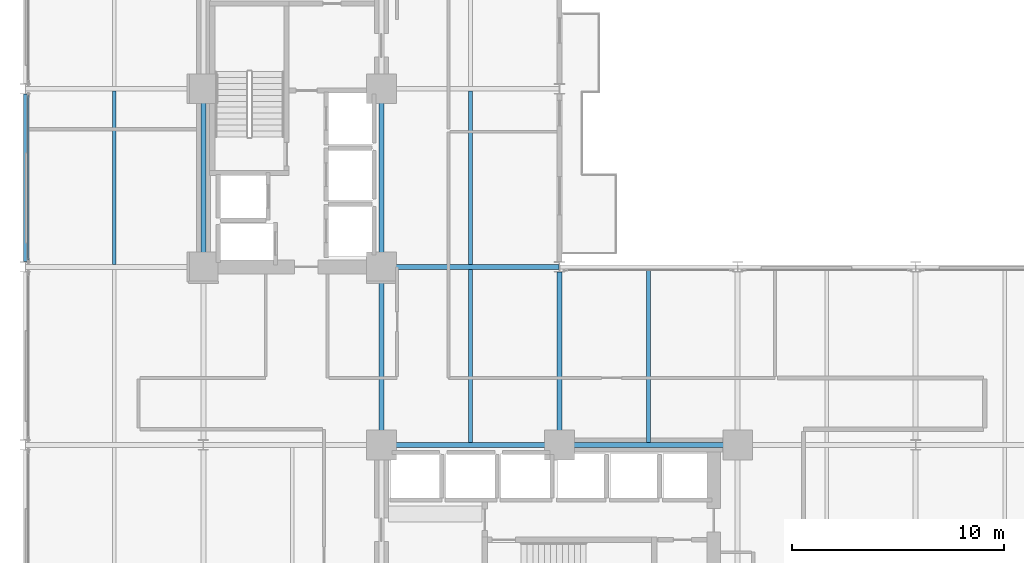
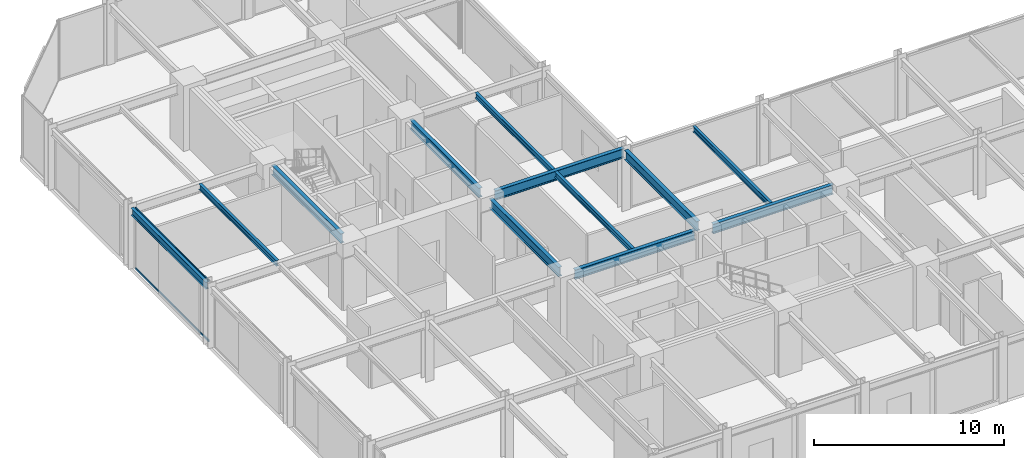
# One storey, part 7 of 24: 12 beams, 2 members, 1 element without a shape of its own.
"""IFC4 building model written with IfcOpenShell, lengths in metres."""

from ifc_helpers import new_model, si_unit, direction, frame, origin, origin_2d, place, context, subcontext, project, spatial, hollow_rectangle, i_section, extrude, material, layer, layer_set, material_profile, profile_set, type_object, element, aggregate, save


model = new_model("IFC4")

# Units and contexts
model_context = context("Model", 3, precision=1e-05, world=origin(), true_north=direction((0.0, 1.0)))
body_context = subcontext(model_context, "Body", "Model", "MODEL_VIEW")
ifc_project = project(units=[si_unit("LENGTHUNIT", "METRE"), si_unit("AREAUNIT", "SQUARE_METRE"), si_unit("VOLUMEUNIT", "CUBIC_METRE"), si_unit("PLANEANGLEUNIT", "RADIAN"), si_unit("MASSUNIT", "GRAM", prefix="KILO")], contexts=[model_context])

# Site, building, storey
site_placement = place(None, origin())
site = spatial("IfcSite", under=ifc_project, at=site_placement, CompositionType="ELEMENT")
building_placement = place(site_placement, origin())
building = spatial("IfcBuilding", under=site, at=building_placement, Name="Nerrivon Quay Data Exchange", CompositionType="ELEMENT")
storey_placement = place(building_placement, frame((0.0, 0.0, 33.199951171875)))
storey = spatial("IfcBuildingStorey", under=building, at=storey_placement, Name="L07", CompositionType="ELEMENT", Elevation=33.199951171875)

# Beams
ifc_material_1 = material(Name="Steel Grade 350", Category="steel")
ifc_material_profile_1 = material_profile(ifc_material_1, i_section(OverallWidth=0.22900390625, OverallDepth=0.612060546875, WebThickness=0.011962890625, FlangeThickness=0.01953125, FilletRadius=0.013916015625, at=origin_2d()), Name="610UB125")
ifc_profile_set_1 = profile_set([ifc_material_profile_1], Name="Steel Grade 350")
beam_type_1 = type_object("IfcBeamType", Name="BM-G1-610UB125", PredefinedType="BEAM", material=ifc_profile_set_1)
beam_1_placement = place(storey_placement, frame((17.340087890625, 16.800048828125, 3.619140625), z_axis=(1.0, 0.0, 0.0), x_axis=(0.0, 1.0, 0.0)))
element("IfcBeam", 1, at=beam_1_placement, inside=storey, type_object=beam_type_1, Name="L07 EW Girder Y=16.8 (16.8..25.2)", PredefinedType="BEAM", context=body_context, shape_type="SweptSolid", body=[
    extrude(i_section(OverallWidth=0.22900390625, OverallDepth=0.612060546875, WebThickness=0.011962890625, FlangeThickness=0.01953125, FilletRadius=0.013916015625, at=origin_2d()), origin(), (0.0, 0.0, 1.0), 7.31982421875),
])
beam_2_placement = place(storey_placement, frame((25.739990234375, 16.800048828125, 3.619140625), z_axis=(1.0, 0.0, 0.0), x_axis=(0.0, 1.0, 0.0)))
element("IfcBeam", 2, at=beam_2_placement, inside=storey, type_object=beam_type_1, Name="L07 EW Girder Y=16.8 (25.2..33.6)", PredefinedType="BEAM", context=body_context, shape_type="SweptSolid", body=[
    extrude(i_section(OverallWidth=0.22900390625, OverallDepth=0.612060546875, WebThickness=0.011962890625, FlangeThickness=0.01953125, FilletRadius=0.013916015625, at=origin_2d()), origin(), (0.0, 0.0, 1.0), 7.320068359375),
])
beam_3_placement = place(storey_placement, frame((17.340087890625, 25.199951171875, 3.619140625), z_axis=(1.0, 0.0, 0.0), x_axis=(0.0, 1.0, 0.0)))
element("IfcBeam", 3, at=beam_3_placement, inside=storey, type_object=beam_type_1, Name="L07 EW Girder Y=25.2 (16.8..25.2)", PredefinedType="BEAM", context=body_context, shape_type="SweptSolid", body=[
    extrude(i_section(OverallWidth=0.22900390625, OverallDepth=0.612060546875, WebThickness=0.011962890625, FlangeThickness=0.01953125, FilletRadius=0.013916015625, at=origin_2d()), origin(), (0.0, 0.0, 1.0), 7.845947265625),
])
ifc_material_profile_2 = material_profile(ifc_material_1, i_section(OverallWidth=0.22802734375, OverallDepth=0.60205078125, WebThickness=0.010498046875, FlangeThickness=0.014892578125, FilletRadius=0.013916015625, at=origin_2d()), Name="610UB101")
ifc_profile_set_2 = profile_set([ifc_material_profile_2], Name="Steel Grade 350")
beam_type_2 = type_object("IfcBeamType", Name="BM-G2-610UB101", PredefinedType="BEAM", material=ifc_profile_set_2)
beam_4_placement = place(storey_placement, frame((8.39990234375, 25.739990234375, 3.6240234375), z_axis=(0.0, 1.0, 0.0), x_axis=(-1.0, 0.0, 0.0)))
element("IfcBeam", 4, at=beam_4_placement, inside=storey, type_object=beam_type_2, Name="L07 NS Girder X=8.4 (25.2..33.6)", PredefinedType="BEAM", context=body_context, shape_type="SweptSolid", body=[
    extrude(i_section(OverallWidth=0.22802734375, OverallDepth=0.60205078125, WebThickness=0.010498046875, FlangeThickness=0.014892578125, FilletRadius=0.013916015625, at=origin_2d()), origin(), (0.0, 0.0, 1.0), 7.320068359375),
])
beam_5_placement = place(storey_placement, frame((16.800048828125, 17.340087890625, 3.6240234375), z_axis=(0.0, 1.0, 0.0), x_axis=(-1.0, 0.0, 0.0)))
element("IfcBeam", 5, at=beam_5_placement, inside=storey, type_object=beam_type_2, Name="L07 NS Girder X=16.8 (16.8..25.2)", PredefinedType="BEAM", context=body_context, shape_type="SweptSolid", body=[
    extrude(i_section(OverallWidth=0.22802734375, OverallDepth=0.60205078125, WebThickness=0.010498046875, FlangeThickness=0.014892578125, FilletRadius=0.013916015625, at=origin_2d()), origin(), (0.0, 0.0, 1.0), 7.31982421875),
])
beam_6_placement = place(storey_placement, frame((16.800048828125, 25.739990234375, 3.6240234375), z_axis=(0.0, 1.0, 0.0), x_axis=(-1.0, 0.0, 0.0)))
element("IfcBeam", 6, at=beam_6_placement, inside=storey, type_object=beam_type_2, Name="L07 NS Girder X=16.8 (25.2..33.6)", PredefinedType="BEAM", context=body_context, shape_type="SweptSolid", body=[
    extrude(i_section(OverallWidth=0.22802734375, OverallDepth=0.60205078125, WebThickness=0.010498046875, FlangeThickness=0.014892578125, FilletRadius=0.013916015625, at=origin_2d()), origin(), (0.0, 0.0, 1.0), 7.320068359375),
])
beam_7_placement = place(storey_placement, frame((25.199951171875, 17.340087890625, 3.6240234375), z_axis=(0.0, 1.0, 0.0), x_axis=(-1.0, 0.0, 0.0)))
element("IfcBeam", 7, at=beam_7_placement, inside=storey, type_object=beam_type_2, Name="L07 NS Girder X=25.2 (16.8..25.2)", PredefinedType="BEAM", context=body_context, shape_type="SweptSolid", body=[
    extrude(i_section(OverallWidth=0.22802734375, OverallDepth=0.60205078125, WebThickness=0.010498046875, FlangeThickness=0.014892578125, FilletRadius=0.013916015625, at=origin_2d()), origin(), (0.0, 0.0, 1.0), 7.60986328125),
])
ifc_material_profile_3 = material_profile(ifc_material_1, i_section(OverallWidth=0.172119140625, OverallDepth=0.35888671875, WebThickness=0.008056640625, FlangeThickness=0.012939453125, FilletRadius=0.011474609375, at=origin_2d()), Name="360UB56.7")
ifc_profile_set_3 = profile_set([ifc_material_profile_3], Name="Steel Grade 350")
beam_type_3 = type_object("IfcBeamType", Name="BM-J3-360UB57", PredefinedType="JOIST", material=ifc_profile_set_3)
beam_8_placement = place(storey_placement, frame((4.199951171875, 25.314453125, 3.74560546875), z_axis=(0.0, 1.0, 0.0), x_axis=(-1.0, 0.0, 0.0)))
element("IfcBeam", 8, at=beam_8_placement, inside=storey, type_object=beam_type_3, Name="L07 Secondary Joist X=4.2 (25.2..33.6)", PredefinedType="JOIST", context=body_context, shape_type="SweptSolid", body=[
    extrude(i_section(OverallWidth=0.172119140625, OverallDepth=0.35888671875, WebThickness=0.008056640625, FlangeThickness=0.012939453125, FilletRadius=0.011474609375, at=origin_2d()), origin(), (0.0, 0.0, 1.0), 8.171142578125),
])
beam_9_placement = place(storey_placement, frame((21.0, 16.91455078125, 3.74560546875), z_axis=(0.0, 1.0, 0.0), x_axis=(-1.0, 0.0, 0.0)))
element("IfcBeam", 9, at=beam_9_placement, inside=storey, type_object=beam_type_3, Name="L07 Secondary Joist X=21.0 (16.8..25.2)", PredefinedType="JOIST", context=body_context, shape_type="SweptSolid", body=[
    extrude(i_section(OverallWidth=0.172119140625, OverallDepth=0.35888671875, WebThickness=0.008056640625, FlangeThickness=0.012939453125, FilletRadius=0.011474609375, at=origin_2d()), origin(), (0.0, 0.0, 1.0), 8.1708984375),
])
beam_10_placement = place(storey_placement, frame((21.0, 25.314453125, 3.74560546875), z_axis=(0.0, 1.0, 0.0), x_axis=(-1.0, 0.0, 0.0)))
element("IfcBeam", 10, at=beam_10_placement, inside=storey, type_object=beam_type_3, Name="L07 Secondary Joist X=21.0 (25.2..33.6)", PredefinedType="JOIST", context=body_context, shape_type="SweptSolid", body=[
    extrude(i_section(OverallWidth=0.172119140625, OverallDepth=0.35888671875, WebThickness=0.008056640625, FlangeThickness=0.012939453125, FilletRadius=0.011474609375, at=origin_2d()), origin(), (0.0, 0.0, 1.0), 8.171142578125),
])
beam_11_placement = place(storey_placement, frame((29.39990234375, 16.91455078125, 3.74560546875), z_axis=(0.0, 1.0, 0.0), x_axis=(-1.0, 0.0, 0.0)))
element("IfcBeam", 11, at=beam_11_placement, inside=storey, type_object=beam_type_3, Name="L07 Secondary Joist X=29.4 (16.8..25.2)", PredefinedType="JOIST", context=body_context, shape_type="SweptSolid", body=[
    extrude(i_section(OverallWidth=0.172119140625, OverallDepth=0.35888671875, WebThickness=0.008056640625, FlangeThickness=0.012939453125, FilletRadius=0.011474609375, at=origin_2d()), origin(), (0.0, 0.0, 1.0), 8.1904296875),
])
ifc_material_profile_4 = material_profile(ifc_material_1, i_section(OverallWidth=0.18994140625, OverallDepth=0.4541015625, WebThickness=0.008544921875, FlangeThickness=0.0126953125, FilletRadius=0.011474609375, at=origin_2d()), Name="460UB67.1")
ifc_profile_set_4 = profile_set([ifc_material_profile_4], Name="Steel Grade 350")
beam_type_4 = type_object("IfcBeamType", Name="BM-SP1-460UB67", PredefinedType="SPANDREL", material=ifc_profile_set_4)
beam_12_placement = place(storey_placement, frame((0.0, 25.449951171875, 3.697998046875), z_axis=(0.0, 1.0, 0.0), x_axis=(-1.0, 0.0, 0.0)))
element("IfcBeam", 12, at=beam_12_placement, inside=storey, type_object=beam_type_4, Name="L07 NS Girder X=0.0 (25.2..33.6)", PredefinedType="SPANDREL", context=body_context, shape_type="SweptSolid", body=[
    extrude(i_section(OverallWidth=0.18994140625, OverallDepth=0.4541015625, WebThickness=0.008544921875, FlangeThickness=0.0126953125, FilletRadius=0.011474609375, at=origin_2d()), origin(), (0.0, 0.0, 1.0), 7.900146484375),
])

# Curtain wall, members
ifc_material_2 = material(Name="Anodised aluminium 6063-T6", Category="aluminium")
ifc_layer = layer(ifc_material_2, 0.219970703125)
ifc_layer_set = layer_set([ifc_layer], Name="Anodised aluminium 6063-T6")
curtain_wall_type = type_object("IfcCurtainWallType", Name="CW-SYS-01", PredefinedType="NOTDEFINED", material=ifc_layer_set)
curtain_wall_placement = place(storey_placement, origin())
curtain_wall = element("IfcCurtainWall", 13, at=curtain_wall_placement, inside=storey, type_object=curtain_wall_type, Name="L07 Unitised Curtain Wall 16", PredefinedType="NOTDEFINED")
ifc_material_profile_5 = material_profile(ifc_material_2, hollow_rectangle(XDim=0.06005859375, YDim=0.1201171875, WallThickness=0.003173828125, at=origin_2d()), Name="ALU-TRAN-120x60")
ifc_profile_set_5 = profile_set([ifc_material_profile_5], Name="Anodised aluminium 6063-T6")
member_type = type_object("IfcMemberType", Name="CWT-120x60", PredefinedType="USERDEFINED", material=ifc_profile_set_5)
member_1_placement = place(storey_placement, frame((0.139892578125, 25.52490234375, 0.032470703125), z_axis=(0.0, 1.0, 0.0), x_axis=(-1.0, 0.0, 0.0)))
member_1 = element("IfcMember", 14, at=member_1_placement, type_object=member_type, Name="CW01 transom 1.1", ObjectType="TRANSOM", PredefinedType="USERDEFINED", context=body_context, shape_type="SweptSolid", body=[
    extrude(hollow_rectangle(XDim=0.06005859375, YDim=0.1201171875, WallThickness=0.003173828125, at=origin_2d()), origin(), (0.0, 0.0, 1.0), 7.75),
])
member_2_placement = place(storey_placement, frame((0.139892578125, 25.52490234375, 3.892578125), z_axis=(0.0, 1.0, 0.0), x_axis=(-1.0, 0.0, 0.0)))
member_2 = element("IfcMember", 15, at=member_2_placement, type_object=member_type, Name="CW01 transom 1.2", ObjectType="TRANSOM", PredefinedType="USERDEFINED", context=body_context, shape_type="SweptSolid", body=[
    extrude(hollow_rectangle(XDim=0.06005859375, YDim=0.1201171875, WallThickness=0.003173828125, at=origin_2d()), origin(), (0.0, 0.0, 1.0), 7.75),
])
aggregate(curtain_wall, [member_1, member_2])

save(model, "model.ifc")
